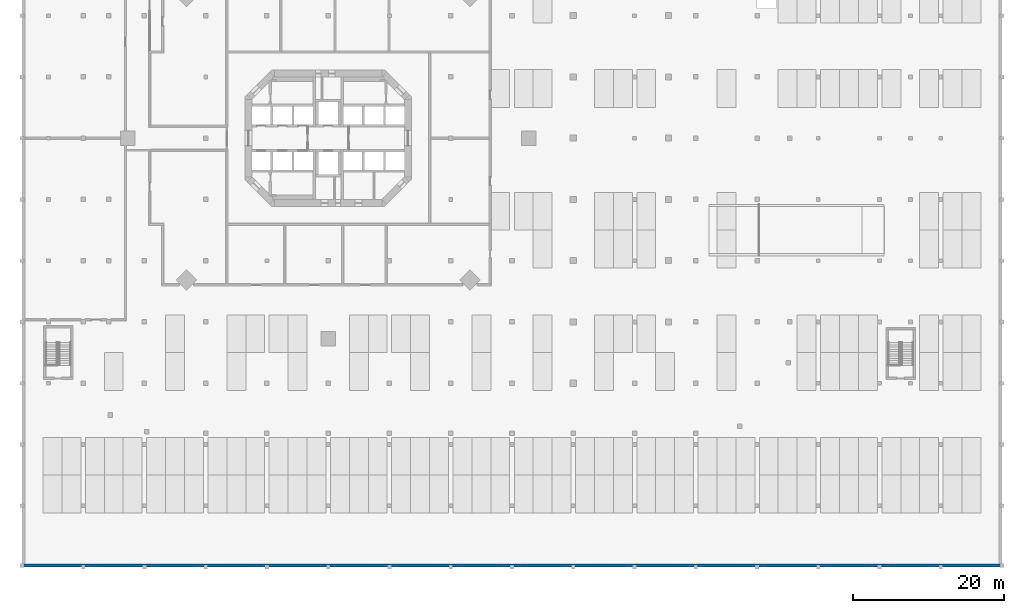
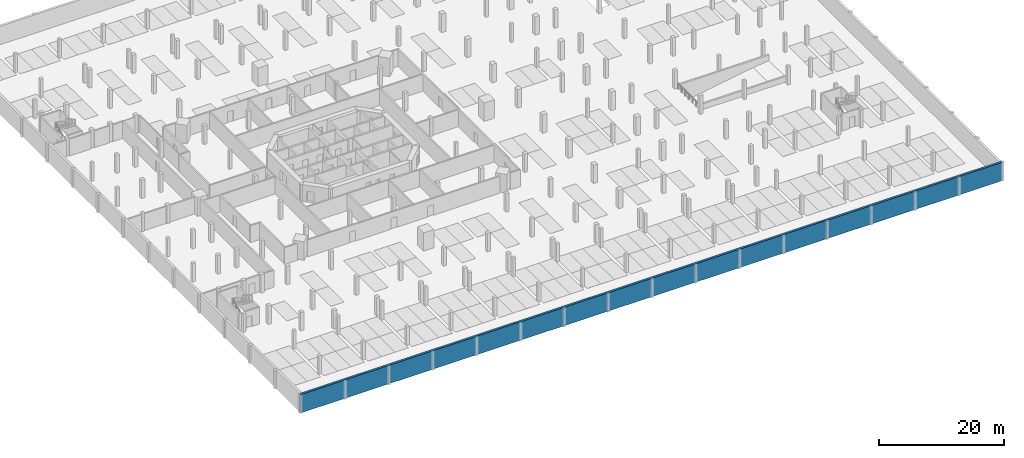
# One storey, part 7 of 14: 1 wall.
"""IFC4 building model written with IfcOpenShell, lengths in metres."""

from ifc_helpers import new_model, si_unit, direction, frame, frame_2d, origin, place, context, subcontext, project, spatial, rectangle, extrude, material, layer, layer_set, type_object, element, save


model = new_model("IFC4")

# Units and contexts
model_context = context("Model", 3, precision=1e-05, world=origin(), true_north=direction((0.0, 1.0)))
body_context = subcontext(model_context, "Body", "Model", "MODEL_VIEW")
ifc_project = project(units=[si_unit("LENGTHUNIT", "METRE"), si_unit("AREAUNIT", "SQUARE_METRE"), si_unit("VOLUMEUNIT", "CUBIC_METRE"), si_unit("PLANEANGLEUNIT", "RADIAN"), si_unit("MASSUNIT", "GRAM", prefix="KILO")], contexts=[model_context])

# Site, building, storey
site_placement = place(None, origin())
site = spatial("IfcSite", under=ifc_project, at=site_placement, CompositionType="ELEMENT")
building_placement = place(site_placement, origin())
building = spatial("IfcBuilding", under=site, at=building_placement, Name="Torre Triforio", CompositionType="ELEMENT")
storey_placement = place(building_placement, frame((0.0, 0.0, -7.199951171875)))
storey = spatial("IfcBuildingStorey", under=building, at=storey_placement, Name="B2", CompositionType="ELEMENT", Elevation=-7.199951171875)

# Wall
ifc_material = material(Name="Concrete C40", Category="concrete")
ifc_layer = layer(ifc_material, 0.39990234375)
ifc_layer_set = layer_set([ifc_layer], Name="Concrete C40")
wall_type = type_object("IfcWallType", Name="Retaining wall 400 C40", PredefinedType="SOLIDWALL", material=ifc_layer_set)
wall_placement = place(storey_placement, frame((-40.5, -56.5, 0.0), z_axis=(0.0, 0.0, 1.0), x_axis=(1.0, 0.0, 0.0)))
element("IfcWall", 1, at=wall_placement, inside=storey, type_object=wall_type, Name="WL.RET.B2.S", PredefinedType="SOLIDWALL", context=body_context, shape_type="SweptSolid", body=[
    extrude(rectangle(XDim=129.60009765625, YDim=0.39990234375, at=frame_2d((64.800048828125, 0.0))), origin(), (0.0, 0.0, 1.0), 3.599853515625),
])

save(model, "model.ifc")
